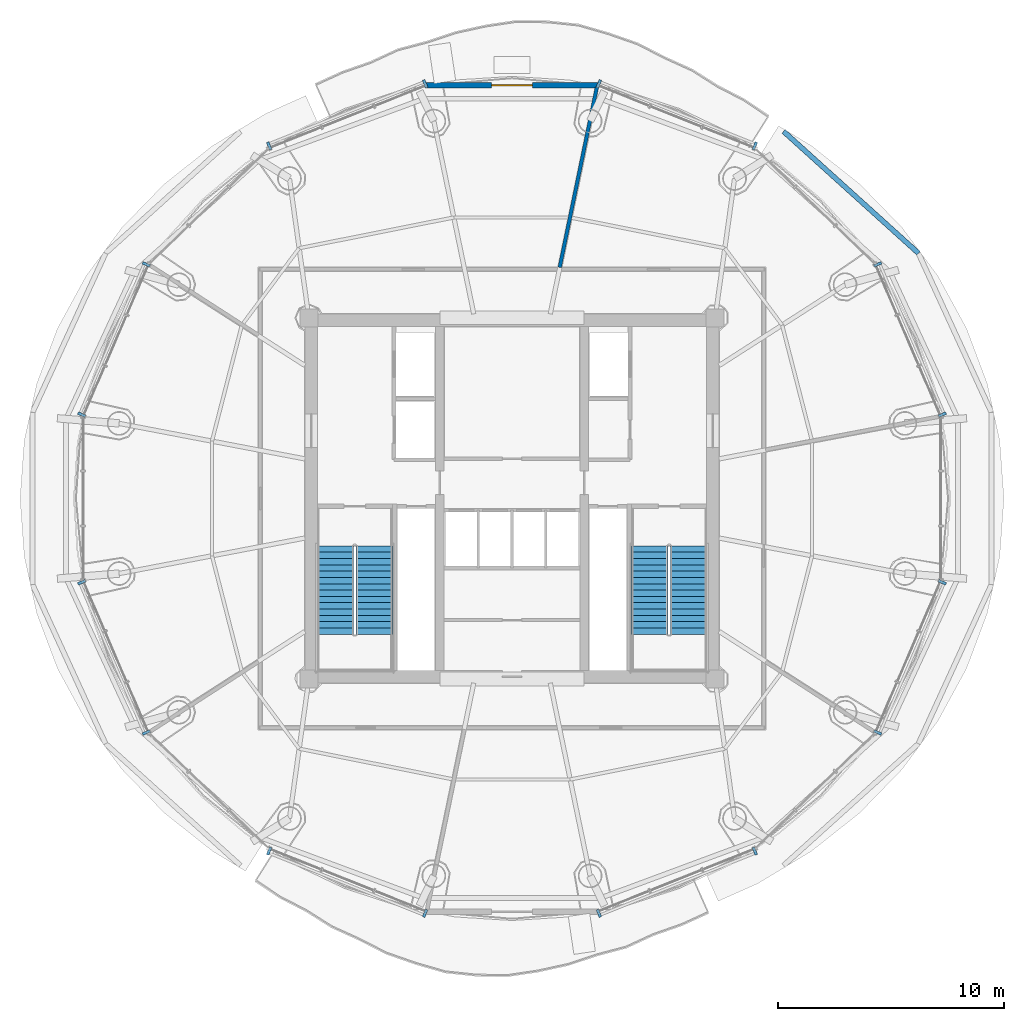
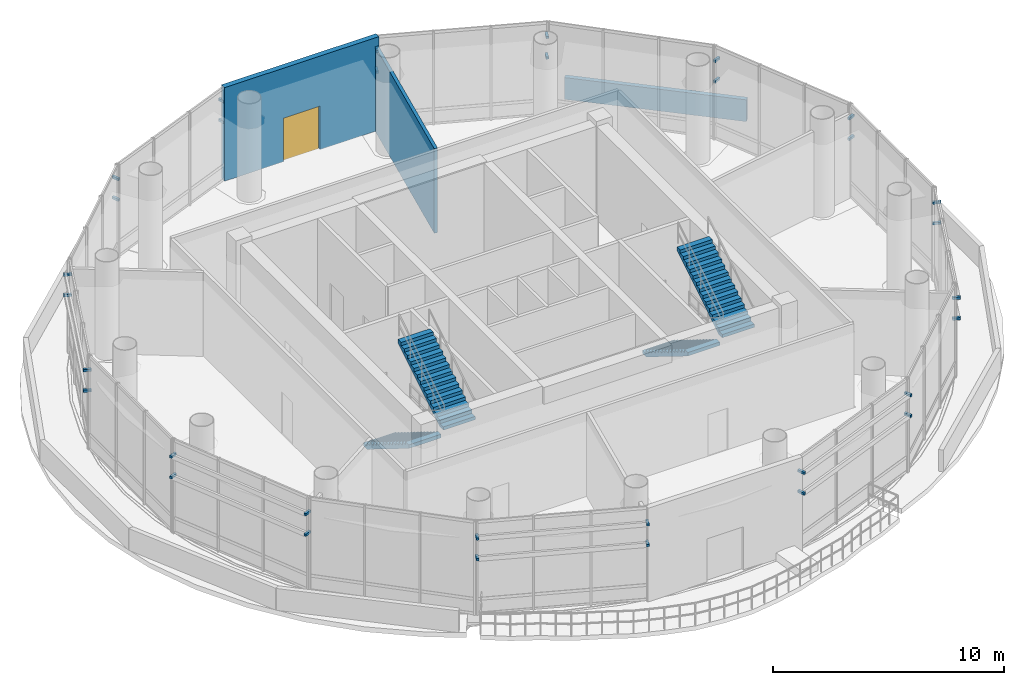
# One storey, part 18 of 22: 32 discrete accessories, 4 stair flights, 3 walls, 1 door, 1 opening, 2 elements without a shape of their own.
"""IFC4 building model written with IfcOpenShell, lengths in metres."""

from ifc_helpers import new_model, si_unit, direction, frame, frame_2d, origin, origin_2d, place, context, subcontext, project, spatial, polyline, rectangle, outline, extrude, source, transform, mapped, material, layer, layer_set, type_object, element, fill, aggregate, save


model = new_model("IFC4")

# Units and contexts
model_context = context("Model", 3, precision=1e-05, world=origin(), true_north=direction((-0.2419218956, 0.970295726276)))
body_context = subcontext(model_context, "Body", "Model", "MODEL_VIEW")
ifc_project = project(units=[si_unit("LENGTHUNIT", "METRE"), si_unit("AREAUNIT", "SQUARE_METRE"), si_unit("VOLUMEUNIT", "CUBIC_METRE"), si_unit("PLANEANGLEUNIT", "RADIAN"), si_unit("MASSUNIT", "GRAM", prefix="KILO")], contexts=[model_context])

# Site, building, storey
site_placement = place(None, origin())
site = spatial("IfcSite", under=ifc_project, at=site_placement, CompositionType="ELEMENT")
building_placement = place(site_placement, origin())
building = spatial("IfcBuilding", under=site, at=building_placement, Name="Cobrevalo Terracotta Tower", CompositionType="ELEMENT")
storey_placement = place(building_placement, frame((0.0, 0.0, 243.0)))
storey = spatial("IfcBuildingStorey", under=building, at=storey_placement, Name="L64", CompositionType="ELEMENT", Elevation=243.0)

# Walls
ifc_material_1 = material(Name="Gypsum board on steel stud", Category="steel")
ifc_layer_1 = layer(ifc_material_1, 0.159912109375)
ifc_layer_set_1 = layer_set([ifc_layer_1], Name="Gypsum board on steel stud")
wall_type_1 = type_object("IfcWallType", Name="Fire-rated corridor acoustic partition wall 160 mm", PredefinedType="PARTITIONING", material=ifc_layer_set_1)
wall_1_placement = place(storey_placement, frame((40.112548828125, 37.036865234375, 0.0), z_axis=(0.0, 0.0, 1.0), x_axis=(0.202088793838, 0.979367203558, 0.0)))
element("IfcWall", 1, at=wall_1_placement, inside=storey, type_object=wall_type_1, Name="L64 interior partition IW-L64-SW2", PredefinedType="PARTITIONING", context=body_context, shape_type="SweptSolid", body=[
    extrude(rectangle(XDim=8.154541015625, YDim=0.159912109375, at=frame_2d((4.0771484375, 0.0))), origin(), (0.0, 0.0, 1.0), 4.465087890625),
])
ifc_material_2 = material(Name="Precast concrete C45", Category="concrete")
ifc_layer_2 = layer(ifc_material_2, 0.219970703125)
ifc_layer_set_2 = layer_set([ifc_layer_2], Name="Precast concrete C45")
wall_type_2 = type_object("IfcWallType", Name="Precast concrete roof and setback terrace parapet wall 220 mm", PredefinedType="PARAPET", material=ifc_layer_set_2)
wall_2_placement = place(storey_placement, frame((56.009521484375, 37.6669921875, 0.0), z_axis=(0.0, 0.0, 1.0), x_axis=(-0.742166860765, 0.670215152606, 0.0)))
element("IfcWall", 2, at=wall_2_placement, inside=storey, type_object=wall_type_2, Name="L64 setback roof concrete parapet 02", PredefinedType="PARAPET", context=body_context, shape_type="SweptSolid", body=[
    extrude(rectangle(XDim=8.0517578125, YDim=0.219970703125, at=frame_2d((4.02587890625, 0.0))), origin(), (0.0, 0.0, 1.0), 1.14990234375),
])

# Wall, opening, door
ifc_material_3 = material(Name="Autoclaved aerated concrete block", Category="concrete")
ifc_layer_3 = layer(ifc_material_3, 0.260009765625)
ifc_layer_set_3 = layer_set([ifc_layer_3], Name="Autoclaved aerated concrete block")
wall_type_3 = type_object("IfcWallType", Name="Recessed balcony loggia insulated exterior wall 260 mm", PredefinedType="SOLIDWALL", material=ifc_layer_set_3)
wall_3_placement = place(storey_placement, frame((41.85888671875, 45.111328125, 0.0), z_axis=(0.0, 0.0, 1.0), x_axis=(-1.0, 0.0, 0.0)))
wall_3 = element("IfcWall", 3, at=wall_3_placement, inside=storey, type_object=wall_type_3, Name="L64 sky terrace loggia wall S04", PredefinedType="SOLIDWALL", context=body_context, shape_type="SweptSolid", body=[
    extrude(rectangle(XDim=7.7177734375, YDim=0.260009765625, at=frame_2d((3.85888671875, 0.0))), origin(), (0.0, 0.0, 1.0), 4.93994140625),
])
opening_placement = place(wall_3_placement, frame((2.958984375, 0.0, 0.0)))
opening = element("IfcOpeningElement", 4, at=opening_placement, cuts=wall_3, Name="Opening ED-11", PredefinedType="OPENING", context=body_context, shape_type="SweptSolid", body=[
    extrude(rectangle(XDim=1.800048828125, YDim=2.300048828125, at=frame_2d((0.89990234375, 1.14990234375))), frame((0.0, 0.14013671875, 0.0), z_axis=(0.0, -1.0, 0.0), x_axis=(1.0, 0.0, 0.0)), (0.0, 0.0, 1.0), 0.280029296875),
])
ifc_material_4 = material(Name="Anodized aluminium and laminated glass", Category="aluminium")
door_type = type_object("IfcDoorType", Name="Upper terrace & penthouse external double glazed door 1800x2300", OperationType="NOTDEFINED", PredefinedType="DOOR", material=ifc_material_4)
shared_shape_1 = source(origin(), body_context, "Body", "SweptSolid", [
    extrude(rectangle(XDim=1.800048828125, YDim=2.300048828125, at=frame_2d((0.89990234375, 1.14990234375))), frame((0.0, 0.02490234375, 0.0), z_axis=(0.0, -1.0, 0.0), x_axis=(1.0, 0.0, 0.0)), (0.0, 0.0, 1.0), 0.050048828125),
])
door_placement = place(opening_placement, frame((1.800048828125, 0.0, 0.0), z_axis=(0.0, 0.0, 1.0), x_axis=(-1.0, 0.0, 0.0)))
door = element("IfcDoor", 5, at=door_placement, inside=storey, type_object=door_type, Name="L64 external terrace glazed double door 1", OperationType="DOUBLE_DOOR_SINGLE_SWING", OverallHeight=2.300048828125, OverallWidth=1.800048828125, PredefinedType="DOOR", context=body_context, shape_type="MappedRepresentation", body=[
    mapped(shared_shape_1, transform((0.0, 0.0, 0.0), scale=1.0)),
])
fill(opening, door)

# Stair, stair flights
ifc_material_5 = material(Name="Concrete C50", Category="concrete")
stair_type = type_object("IfcStairType", Name="Core protected escape dogleg stair 1600", PredefinedType="HALF_TURN_STAIR", material=ifc_material_5)
stair_1_placement = place(storey_placement, origin())
stair_1 = element("IfcStair", 6, at=stair_1_placement, inside=storey, type_object=stair_type, Name="L64 Protected exit stair ST-1", PredefinedType="HALF_TURN_STAIR")
stair_flight_type = type_object("IfcStairFlightType", Name="Core protected escape dogleg stair 1600 flight", PredefinedType="STRAIGHT", material=ifc_material_5)
stair_flight_1_placement = place(storey_placement, frame((30.175048828125, 24.699951171875, 0.0), z_axis=(0.0, 0.0, 1.0), x_axis=(0.0, -1.0, 0.0)))
stair_flight_1 = element("IfcStairFlight", 7, at=stair_flight_1_placement, type_object=stair_flight_type, Name="ST-1 flight 1", NumberOfRisers=15, NumberOfTreads=14, PredefinedType="STRAIGHT", RiserHeight=0.173333333, TreadLength=0.28, context=body_context, shape_type="SweptSolid", body=[
    extrude(outline(polyline([(0.0, 0.0), (0.0, 0.17333984375), (0.280029296875, 0.17333984375), (0.280029296875, 0.3466796875), (0.56005859375, 0.3466796875), (0.56005859375, 0.52001953125), (0.840087890625, 0.52001953125), (0.840087890625, 0.693359375), (1.1201171875, 0.693359375), (1.1201171875, 0.86669921875), (1.39990234375, 0.86669921875), (1.39990234375, 1.0400390625), (1.679931640625, 1.0400390625), (1.679931640625, 1.21337890625), (1.9599609375, 1.21337890625), (1.9599609375, 1.38671875), (2.239990234375, 1.38671875), (2.239990234375, 1.56005859375), (2.52001953125, 1.56005859375), (2.52001953125, 1.7333984375), (2.800048828125, 1.7333984375), (2.800048828125, 1.90673828125), (3.080078125, 1.90673828125), (3.080078125, 2.080078125), (3.360107421875, 2.080078125), (3.360107421875, 2.25341796875), (3.639892578125, 2.25341796875), (3.639892578125, 2.4267578125), (3.919921875, 2.4267578125), (3.919921875, 2.60009765625), (3.919921875, 2.238525390625), (0.3037109375, 0.0), (0.0, 0.0)])), frame((0.0, 0.800048828125, 0.0), z_axis=(0.0, -1.0, 0.0), x_axis=(1.0, 0.0, 0.0)), (0.0, 0.0, 1.0), 1.60009765625),
])
stair_flight_2_placement = place(storey_placement, frame((31.89501953125, 20.780029296875, 2.60009765625), z_axis=(0.0, 0.0, 1.0), x_axis=(0.0, 1.0, 0.0)))
stair_flight_2 = element("IfcStairFlight", 8, at=stair_flight_2_placement, type_object=stair_flight_type, Name="ST-1 flight 2", NumberOfRisers=15, NumberOfTreads=14, PredefinedType="STRAIGHT", RiserHeight=0.173333333, TreadLength=0.28, context=body_context, shape_type="SweptSolid", body=[
    extrude(outline(polyline([(0.0, 0.0), (0.0, 0.17333984375), (0.280029296875, 0.17333984375), (0.280029296875, 0.3466796875), (0.56005859375, 0.3466796875), (0.56005859375, 0.52001953125), (0.840087890625, 0.52001953125), (0.840087890625, 0.693359375), (1.1201171875, 0.693359375), (1.1201171875, 0.86669921875), (1.39990234375, 0.86669921875), (1.39990234375, 1.0400390625), (1.679931640625, 1.0400390625), (1.679931640625, 1.21337890625), (1.9599609375, 1.21337890625), (1.9599609375, 1.38671875), (2.239990234375, 1.38671875), (2.239990234375, 1.56005859375), (2.52001953125, 1.56005859375), (2.52001953125, 1.7333984375), (2.800048828125, 1.7333984375), (2.800048828125, 1.90673828125), (3.080078125, 1.90673828125), (3.080078125, 2.080078125), (3.360107421875, 2.080078125), (3.360107421875, 2.25341796875), (3.639892578125, 2.25341796875), (3.639892578125, 2.4267578125), (3.919921875, 2.4267578125), (3.919921875, 2.60009765625), (3.919921875, 2.238525390625), (0.3037109375, 0.0), (0.0, 0.0)])), frame((0.0, 0.800048828125, 0.0), z_axis=(0.0, -1.0, 0.0), x_axis=(1.0, 0.0, 0.0)), (0.0, 0.0, 1.0), 1.60009765625),
])
aggregate(stair_1, [stair_flight_1, stair_flight_2])

stair_2_placement = place(storey_placement, origin())
stair_2 = element("IfcStair", 9, at=stair_2_placement, inside=storey, type_object=stair_type, Name="L64 Protected exit stair ST-2", PredefinedType="HALF_TURN_STAIR")
stair_flight_3_placement = place(storey_placement, frame((44.10498046875, 24.699951171875, 0.0), z_axis=(0.0, 0.0, 1.0), x_axis=(0.0, -1.0, 0.0)))
stair_flight_3 = element("IfcStairFlight", 10, at=stair_flight_3_placement, type_object=stair_flight_type, Name="ST-2 flight 1", NumberOfRisers=15, NumberOfTreads=14, PredefinedType="STRAIGHT", RiserHeight=0.173333333, TreadLength=0.28, context=body_context, shape_type="SweptSolid", body=[
    extrude(outline(polyline([(0.0, 0.0), (0.0, 0.17333984375), (0.280029296875, 0.17333984375), (0.280029296875, 0.3466796875), (0.56005859375, 0.3466796875), (0.56005859375, 0.52001953125), (0.840087890625, 0.52001953125), (0.840087890625, 0.693359375), (1.1201171875, 0.693359375), (1.1201171875, 0.86669921875), (1.39990234375, 0.86669921875), (1.39990234375, 1.0400390625), (1.679931640625, 1.0400390625), (1.679931640625, 1.21337890625), (1.9599609375, 1.21337890625), (1.9599609375, 1.38671875), (2.239990234375, 1.38671875), (2.239990234375, 1.56005859375), (2.52001953125, 1.56005859375), (2.52001953125, 1.7333984375), (2.800048828125, 1.7333984375), (2.800048828125, 1.90673828125), (3.080078125, 1.90673828125), (3.080078125, 2.080078125), (3.360107421875, 2.080078125), (3.360107421875, 2.25341796875), (3.639892578125, 2.25341796875), (3.639892578125, 2.4267578125), (3.919921875, 2.4267578125), (3.919921875, 2.60009765625), (3.919921875, 2.238525390625), (0.3037109375, 0.0), (0.0, 0.0)])), frame((0.0, 0.800048828125, 0.0), z_axis=(0.0, -1.0, 0.0), x_axis=(1.0, 0.0, 0.0)), (0.0, 0.0, 1.0), 1.60009765625),
])
stair_flight_4_placement = place(storey_placement, frame((45.824951171875, 20.780029296875, 2.60009765625), z_axis=(0.0, 0.0, 1.0), x_axis=(0.0, 1.0, 0.0)))
stair_flight_4 = element("IfcStairFlight", 11, at=stair_flight_4_placement, type_object=stair_flight_type, Name="ST-2 flight 2", NumberOfRisers=15, NumberOfTreads=14, PredefinedType="STRAIGHT", RiserHeight=0.173333333, TreadLength=0.28, context=body_context, shape_type="SweptSolid", body=[
    extrude(outline(polyline([(0.0, 0.0), (0.0, 0.17333984375), (0.280029296875, 0.17333984375), (0.280029296875, 0.3466796875), (0.56005859375, 0.3466796875), (0.56005859375, 0.52001953125), (0.840087890625, 0.52001953125), (0.840087890625, 0.693359375), (1.1201171875, 0.693359375), (1.1201171875, 0.86669921875), (1.39990234375, 0.86669921875), (1.39990234375, 1.0400390625), (1.679931640625, 1.0400390625), (1.679931640625, 1.21337890625), (1.9599609375, 1.21337890625), (1.9599609375, 1.38671875), (2.239990234375, 1.38671875), (2.239990234375, 1.56005859375), (2.52001953125, 1.56005859375), (2.52001953125, 1.7333984375), (2.800048828125, 1.7333984375), (2.800048828125, 1.90673828125), (3.080078125, 1.90673828125), (3.080078125, 2.080078125), (3.360107421875, 2.080078125), (3.360107421875, 2.25341796875), (3.639892578125, 2.25341796875), (3.639892578125, 2.4267578125), (3.919921875, 2.4267578125), (3.919921875, 2.60009765625), (3.919921875, 2.238525390625), (0.3037109375, 0.0), (0.0, 0.0)])), frame((0.0, 0.800048828125, 0.0), z_axis=(0.0, -1.0, 0.0), x_axis=(1.0, 0.0, 0.0)), (0.0, 0.0, 1.0), 1.60009765625),
])
aggregate(stair_2, [stair_flight_3, stair_flight_4])

# Discrete accessories
ifc_material_6 = material(Name="Brushed stainless steel", Category="steel")
ifc_layer_4 = layer(ifc_material_6, 0.1201171875)
ifc_layer_set_4 = layer_set([ifc_layer_4], Name="Brushed stainless steel")
discrete_accessory_type = type_object("IfcDiscreteAccessoryType", Name="Stainless Steel Facade & Canopy Support Bracket", PredefinedType="BRACKET", material=ifc_layer_set_4)
shared_shape_2 = source(origin(), body_context, "Body", "SweptSolid", [
    extrude(rectangle(XDim=0.1201171875, YDim=0.360107421875, at=origin_2d()), origin(), (0.0, 0.0, 1.0), 0.1201171875),
])
for number, where, z_axis, x_axis, name in (
    (12, (57.064697265625, 30.5146484375, 3.002685546875), (0.0, 0.0, 1.0), (-0.394828845134, 0.918754691444, 0.0), "CW-SK-L64-S01 stainless baguette support bracket 1-A"),
    (13, (54.2041015625, 37.17138671875, 3.002685546875), (0.0, 0.0, 1.0), (-0.394828845134, 0.918754691444, 0.0), "CW-SK-L64-S01 stainless baguette support bracket 1-B"),
    (14, (57.064697265625, 30.5146484375, 4.089599609375), (0.0, 0.0, 1.0), (-0.394828845134, 0.918754691444, 0.0), "CW-SK-L64-S01 stainless baguette support bracket 2-A"),
    (15, (54.2041015625, 37.17138671875, 4.089599609375), (0.0, 0.0, 1.0), (-0.394828845134, 0.918754691444, 0.0), "CW-SK-L64-S01 stainless baguette support bracket 2-B"),
    (16, (48.757568359375, 42.421875, 3.002685546875), (0.0, 0.0, 1.0), (-0.92871833374, 0.370785998353, 0.0), "CW-SK-L64-S03 stainless baguette support bracket 1-A"),
    (17, (41.849365234375, 45.179931640625, 3.002685546875), (0.0, 0.0, 1.0), (-0.92871833374, 0.370785998353, 0.0), "CW-SK-L64-S03 stainless baguette support bracket 1-B"),
    (18, (48.757568359375, 42.421875, 4.089599609375), (0.0, 0.0, 1.0), (-0.92871833374, 0.370785998353, 0.0), "CW-SK-L64-S03 stainless baguette support bracket 2-A"),
    (19, (41.849365234375, 45.179931640625, 4.089599609375), (0.0, 0.0, 1.0), (-0.92871833374, 0.370785998353, 0.0), "CW-SK-L64-S03 stainless baguette support bracket 2-B"),
    (20, (34.150634765625, 45.179931640625, 3.002685546875), (0.0, 0.0, 1.0), (-0.92871833374, -0.370785998353, 0.0), "CW-SK-L64-S05 stainless baguette support bracket 1-A"),
    (21, (27.242431640625, 42.421875, 3.002685546875), (0.0, 0.0, 1.0), (-0.92871833374, -0.370785998353, 0.0), "CW-SK-L64-S05 stainless baguette support bracket 1-B"),
    (22, (34.150634765625, 45.179931640625, 4.089599609375), (0.0, 0.0, 1.0), (-0.92871833374, -0.370785998353, 0.0), "CW-SK-L64-S05 stainless baguette support bracket 2-A"),
    (23, (27.242431640625, 42.421875, 4.089599609375), (0.0, 0.0, 1.0), (-0.92871833374, -0.370785998353, 0.0), "CW-SK-L64-S05 stainless baguette support bracket 2-B"),
    (24, (21.7958984375, 37.17138671875, 3.002685546875), (0.0, 0.0, 1.0), (-0.394828845134, -0.918754691444, 0.0), "CW-SK-L64-S07 stainless baguette support bracket 1-A"),
    (25, (18.935302734375, 30.5146484375, 3.002685546875), (0.0, 0.0, 1.0), (-0.394828845134, -0.918754691444, 0.0), "CW-SK-L64-S07 stainless baguette support bracket 1-B"),
    (26, (21.7958984375, 37.17138671875, 4.089599609375), (0.0, 0.0, 1.0), (-0.394828845134, -0.918754691444, 0.0), "CW-SK-L64-S07 stainless baguette support bracket 2-A"),
    (27, (18.935302734375, 30.5146484375, 4.089599609375), (0.0, 0.0, 1.0), (-0.394828845134, -0.918754691444, 0.0), "CW-SK-L64-S07 stainless baguette support bracket 2-B"),
    (28, (18.935302734375, 23.08544921875, 3.002685546875), (0.0, 0.0, 1.0), (0.394828845134, -0.918754691444, 0.0), "CW-SK-L64-S09 stainless baguette support bracket 1-A"),
    (29, (21.7958984375, 16.4287109375, 3.002685546875), (0.0, 0.0, 1.0), (0.394828845134, -0.918754691444, 0.0), "CW-SK-L64-S09 stainless baguette support bracket 1-B"),
    (30, (18.935302734375, 23.08544921875, 4.089599609375), (0.0, 0.0, 1.0), (0.394828845134, -0.918754691444, 0.0), "CW-SK-L64-S09 stainless baguette support bracket 2-A"),
    (31, (21.7958984375, 16.4287109375, 4.089599609375), (0.0, 0.0, 1.0), (0.394828845134, -0.918754691444, 0.0), "CW-SK-L64-S09 stainless baguette support bracket 2-B"),
    (32, (27.242431640625, 11.177978515625, 3.002685546875), (0.0, 0.0, 1.0), (0.92871833374, -0.370785998353, 0.0), "CW-SK-L64-S11 stainless baguette support bracket 1-A"),
    (33, (34.150634765625, 8.419921875, 3.002685546875), (0.0, 0.0, 1.0), (0.92871833374, -0.370785998353, 0.0), "CW-SK-L64-S11 stainless baguette support bracket 1-B"),
    (34, (27.242431640625, 11.177978515625, 4.089599609375), (0.0, 0.0, 1.0), (0.92871833374, -0.370785998353, 0.0), "CW-SK-L64-S11 stainless baguette support bracket 2-A"),
    (35, (34.150634765625, 8.419921875, 4.089599609375), (0.0, 0.0, 1.0), (0.92871833374, -0.370785998353, 0.0), "CW-SK-L64-S11 stainless baguette support bracket 2-B"),
    (36, (41.849365234375, 8.419921875, 3.002685546875), (0.0, 0.0, 1.0), (0.92871833374, 0.370785998353, 0.0), "CW-SK-L64-S13 stainless baguette support bracket 1-A"),
    (37, (48.757568359375, 11.177978515625, 3.002685546875), (0.0, 0.0, 1.0), (0.92871833374, 0.370785998353, 0.0), "CW-SK-L64-S13 stainless baguette support bracket 1-B"),
    (38, (41.849365234375, 8.419921875, 4.089599609375), (0.0, 0.0, 1.0), (0.92871833374, 0.370785998353, 0.0), "CW-SK-L64-S13 stainless baguette support bracket 2-A"),
    (39, (48.757568359375, 11.177978515625, 4.089599609375), (0.0, 0.0, 1.0), (0.92871833374, 0.370785998353, 0.0), "CW-SK-L64-S13 stainless baguette support bracket 2-B"),
    (40, (54.2041015625, 16.4287109375, 3.002685546875), (0.0, 0.0, 1.0), (0.394828845134, 0.918754691444, 0.0), "CW-SK-L64-S15 stainless baguette support bracket 1-A"),
    (41, (57.064697265625, 23.08544921875, 3.002685546875), (0.0, 0.0, 1.0), (0.394828845134, 0.918754691444, 0.0), "CW-SK-L64-S15 stainless baguette support bracket 1-B"),
    (42, (54.2041015625, 16.4287109375, 4.089599609375), (0.0, 0.0, 1.0), (0.394828845134, 0.918754691444, 0.0), "CW-SK-L64-S15 stainless baguette support bracket 2-A"),
    (43, (57.064697265625, 23.08544921875, 4.089599609375), (0.0, 0.0, 1.0), (0.394828845134, 0.918754691444, 0.0), "CW-SK-L64-S15 stainless baguette support bracket 2-B"),
):
    element("IfcDiscreteAccessory", number, at=place(storey_placement, frame(where, z_axis=z_axis, x_axis=x_axis)), inside=storey, type_object=discrete_accessory_type, Name=name, PredefinedType="BRACKET", context=body_context, shape_type="MappedRepresentation", body=[
        mapped(shared_shape_2, transform((0.0, 0.0, 0.0), scale=1.0)),
    ])

save(model, "model.ifc")
